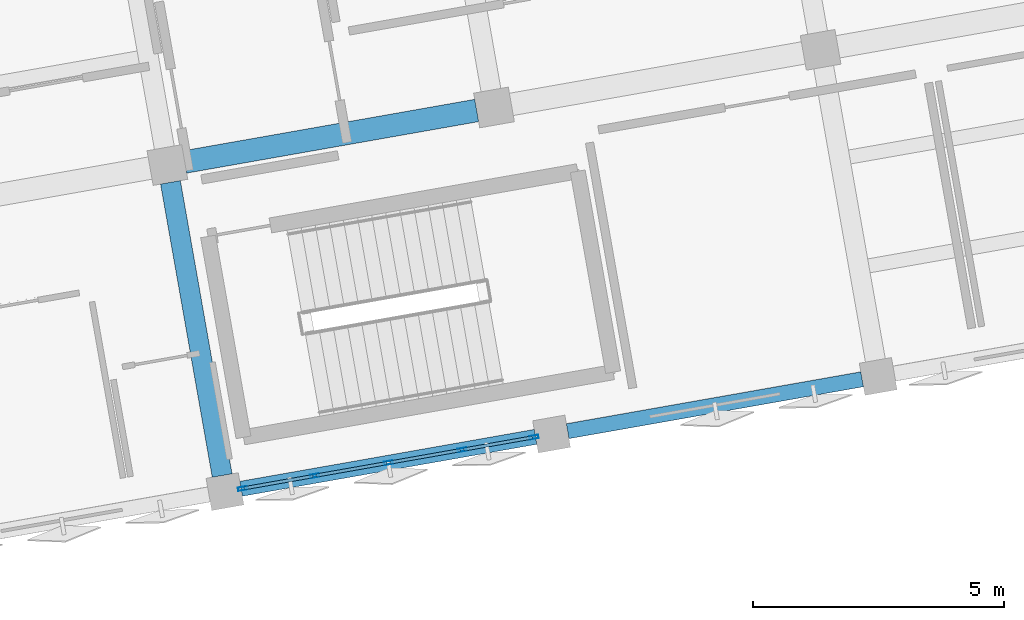
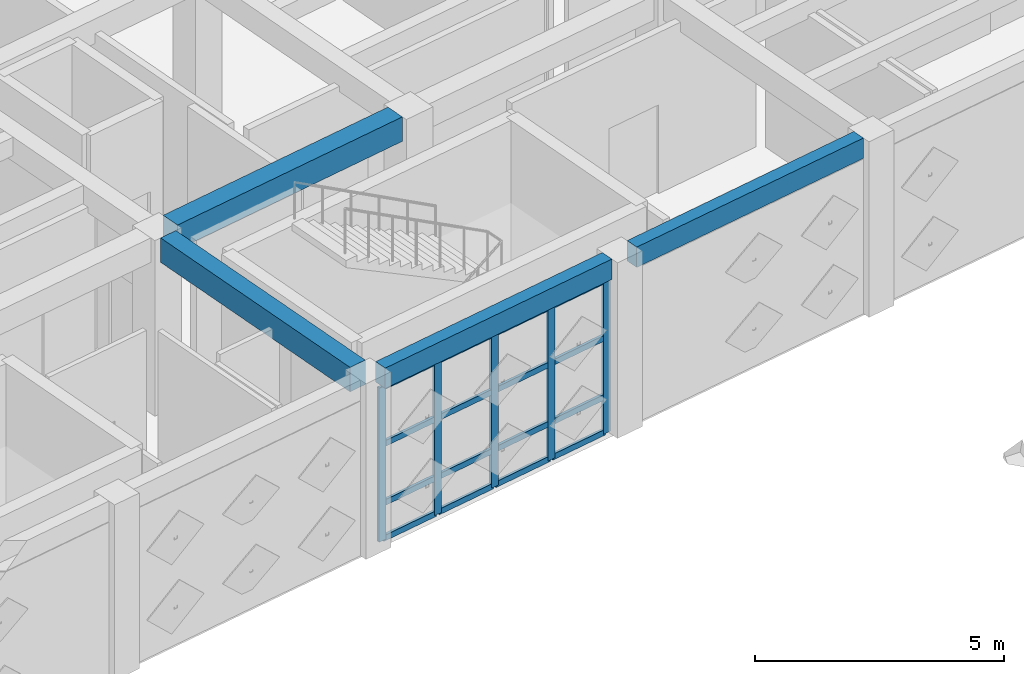
# One storey, part 2 of 39: 21 members, 4 beams, 1 element without a shape of its own.
"""IFC4 building model written with IfcOpenShell, lengths in metres."""

from ifc_helpers import new_model, si_unit, direction, frame, origin, origin_2d, place, context, subcontext, project, spatial, rectangle, hollow_rectangle, extrude, material, layer, layer_set, material_profile, profile_set, type_object, element, aggregate, save


model = new_model("IFC4")

# Units and contexts
model_context = context("Model", 3, precision=1e-05, world=origin(), true_north=direction((0.0, 1.0)))
body_context = subcontext(model_context, "Body", "Model", "MODEL_VIEW")
ifc_project = project(units=[si_unit("LENGTHUNIT", "METRE"), si_unit("AREAUNIT", "SQUARE_METRE"), si_unit("VOLUMEUNIT", "CUBIC_METRE"), si_unit("PLANEANGLEUNIT", "RADIAN"), si_unit("MASSUNIT", "GRAM", prefix="KILO")], contexts=[model_context])

# Site, building, storey
site_placement = place(None, origin())
site = spatial("IfcSite", under=ifc_project, at=site_placement, CompositionType="ELEMENT")
building_placement = place(site_placement, origin())
building = spatial("IfcBuilding", under=site, at=building_placement, Name="Kharisveld Research Institute", CompositionType="ELEMENT")
storey_placement = place(building_placement, frame((0.0, 0.0, 23.10009765625)))
storey = spatial("IfcBuildingStorey", under=building, at=storey_placement, Name="L05", CompositionType="ELEMENT", Elevation=23.10009765625)

# Beams
ifc_material_1 = material(Name="Concrete C40/50", Category="concrete")
ifc_material_profile_1 = material_profile(ifc_material_1, rectangle(XDim=0.39990234375, YDim=0.60009765625, at=origin_2d()))
ifc_profile_set_1 = profile_set([ifc_material_profile_1], Name="Concrete C40/50")
beam_type_1 = type_object("IfcBeamType", Name="BM_RC_400x600", PredefinedType="BEAM", material=ifc_profile_set_1)
beam_1_placement = place(storey_placement, frame((18.14306640625, 37.622314453125, 4.010009765625), z_axis=(-0.173639592071, 0.984809266846, 0.0), x_axis=(-0.984809266846, -0.173639592071, 0.0)))
element("IfcBeam", 1, at=beam_1_placement, inside=storey, type_object=beam_type_1, Name="BM:V1:L05:V2_0", PredefinedType="BEAM", context=body_context, shape_type="SweptSolid", body=[
    extrude(rectangle(XDim=0.39990234375, YDim=0.60009765625, at=origin_2d()), origin(), (0.0, 0.0, 1.0), 5.925048828125),
])
ifc_material_2 = material(Name="Concrete C40/50", Category="concrete")
ifc_material_profile_2 = material_profile(ifc_material_2, rectangle(XDim=0.449951171875, YDim=0.60009765625, at=origin_2d()))
ifc_profile_set_2 = profile_set([ifc_material_profile_2], Name="Concrete C40/50")
beam_type_2 = type_object("IfcBeamType", Name="BM_RC_450x600", PredefinedType="BEAM", material=ifc_profile_set_2)
beam_2_placement = place(storey_placement, frame((17.39794921875, 43.862548828125, 4.010009765625), z_axis=(0.98480479605, 0.173664946598, 0.0), x_axis=(-0.173664946598, 0.98480479605, 0.0)))
element("IfcBeam", 2, at=beam_2_placement, inside=storey, type_object=beam_type_2, Name="BM:V1:L05:U2_1", PredefinedType="BEAM", context=body_context, shape_type="SweptSolid", body=[
    extrude(rectangle(XDim=0.449951171875, YDim=0.60009765625, at=origin_2d()), origin(), (0.0, 0.0, 1.0), 5.900146484375),
])

# Curtain wall, members
ifc_material_3 = material(Name="Thermally Broken Aluminium Curtain Wall", Category="aluminium")
ifc_layer = layer(ifc_material_3, 0.159912109375)
ifc_layer_set = layer_set([ifc_layer], Name="CW_SYS_02")
curtain_wall_type = type_object("IfcCurtainWallType", Name="CW_SYS_02", PredefinedType="NOTDEFINED", material=ifc_layer_set)
curtain_wall_placement = place(storey_placement, origin())
curtain_wall = element("IfcCurtainWall", 3, at=curtain_wall_placement, inside=storey, type_object=curtain_wall_type, Name="CW:V1:L05:S3", PredefinedType="NOTDEFINED")
ifc_material_4 = material(Name="Anodised Aluminium AW-6063-T6", Category="aluminium")
ifc_material_profile_3 = material_profile(ifc_material_4, hollow_rectangle(XDim=0.070068359375, YDim=0.179931640625, WallThickness=0.00439453125, at=origin_2d()))
ifc_profile_set_3 = profile_set([ifc_material_profile_3], Name="Anodised Aluminium AW-6063-T6")
member_type_1 = type_object("IfcMemberType", Name="CW_MUL_180", PredefinedType="MULLION", material=ifc_profile_set_3)
member_1_placement = place(storey_placement, frame((24.349609375, 38.386474609375, 0.0), z_axis=(0.0, 0.0, 1.0), x_axis=(0.173648266375, -0.984807737371, 0.0)))
member_1 = element("IfcMember", 4, at=member_1_placement, type_object=member_type_1, Name="CW-02 mullion 1", PredefinedType="MULLION", context=body_context, shape_type="SweptSolid", body=[
    extrude(hollow_rectangle(XDim=0.070068359375, YDim=0.179931640625, WallThickness=0.00439453125, at=origin_2d()), origin(), (0.0, 0.0, 1.0), 3.77978515625),
])
member_2_placement = place(storey_placement, frame((22.916748046875, 38.134033203125, 0.0), z_axis=(0.0, 0.0, 1.0), x_axis=(0.173648266375, -0.984807737371, 0.0)))
member_2 = element("IfcMember", 5, at=member_2_placement, type_object=member_type_1, Name="CW-02 mullion 2", PredefinedType="MULLION", context=body_context, shape_type="SweptSolid", body=[
    extrude(hollow_rectangle(XDim=0.070068359375, YDim=0.179931640625, WallThickness=0.00439453125, at=origin_2d()), origin(), (0.0, 0.0, 1.0), 3.77978515625),
])
member_3_placement = place(storey_placement, frame((21.44921875, 37.875244140625, 0.0), z_axis=(0.0, 0.0, 1.0), x_axis=(0.173648266375, -0.984807737371, 0.0)))
member_3 = element("IfcMember", 6, at=member_3_placement, type_object=member_type_1, Name="CW-02 mullion 3", PredefinedType="MULLION", context=body_context, shape_type="SweptSolid", body=[
    extrude(hollow_rectangle(XDim=0.070068359375, YDim=0.179931640625, WallThickness=0.00439453125, at=origin_2d()), origin(), (0.0, 0.0, 1.0), 3.77978515625),
])
member_4_placement = place(storey_placement, frame((19.98193359375, 37.616455078125, 0.0), z_axis=(0.0, 0.0, 1.0), x_axis=(0.173648266375, -0.984807737371, 0.0)))
member_4 = element("IfcMember", 7, at=member_4_placement, type_object=member_type_1, Name="CW-02 mullion 4", PredefinedType="MULLION", context=body_context, shape_type="SweptSolid", body=[
    extrude(hollow_rectangle(XDim=0.070068359375, YDim=0.179931640625, WallThickness=0.00439453125, at=origin_2d()), origin(), (0.0, 0.0, 1.0), 3.77978515625),
])
member_5_placement = place(storey_placement, frame((18.549072265625, 37.36376953125, 0.0), z_axis=(0.0, 0.0, 1.0), x_axis=(0.173648266375, -0.984807737371, 0.0)))
member_5 = element("IfcMember", 8, at=member_5_placement, type_object=member_type_1, Name="CW-02 mullion 5", PredefinedType="MULLION", context=body_context, shape_type="SweptSolid", body=[
    extrude(hollow_rectangle(XDim=0.070068359375, YDim=0.179931640625, WallThickness=0.00439453125, at=origin_2d()), origin(), (0.0, 0.0, 1.0), 3.77978515625),
])
ifc_material_5 = material(Name="Anodised Aluminium AW-6063-T6", Category="aluminium")
ifc_material_profile_4 = material_profile(ifc_material_5, hollow_rectangle(XDim=0.06494140625, YDim=0.139892578125, WallThickness=0.00390625, at=origin_2d()))
ifc_profile_set_4 = profile_set([ifc_material_profile_4], Name="Anodised Aluminium AW-6063-T6")
member_type_2 = type_object("IfcMemberType", Name="CW_TRN_140", PredefinedType="USERDEFINED", material=ifc_profile_set_4)
member_6_placement = place(storey_placement, frame((24.315185546875, 38.380615234375, 0.032470703125), z_axis=(-0.984781784306, -0.173795389176, 0.0), x_axis=(0.173795389176, -0.984781784306, 0.0)))
member_6 = element("IfcMember", 9, at=member_6_placement, type_object=member_type_2, Name="CW-02 transom 1.1", ObjectType="TRANSOM", PredefinedType="USERDEFINED", context=body_context, shape_type="SweptSolid", body=[
    extrude(hollow_rectangle(XDim=0.06494140625, YDim=0.139892578125, WallThickness=0.00390625, at=origin_2d()), origin(), (0.0, 0.0, 1.0), 1.385009765625),
])
member_7_placement = place(storey_placement, frame((24.315185546875, 38.380615234375, 0.89990234375), z_axis=(-0.984781784306, -0.173795389176, 0.0), x_axis=(0.173795389176, -0.984781784306, 0.0)))
member_7 = element("IfcMember", 10, at=member_7_placement, type_object=member_type_2, Name="CW-02 transom 1.2", ObjectType="TRANSOM", PredefinedType="USERDEFINED", context=body_context, shape_type="SweptSolid", body=[
    extrude(hollow_rectangle(XDim=0.06494140625, YDim=0.139892578125, WallThickness=0.00390625, at=origin_2d()), origin(), (0.0, 0.0, 1.0), 1.385009765625),
])
member_8_placement = place(storey_placement, frame((24.315185546875, 38.380615234375, 2.349853515625), z_axis=(-0.984781784306, -0.173795389176, 0.0), x_axis=(0.173795389176, -0.984781784306, 0.0)))
member_8 = element("IfcMember", 11, at=member_8_placement, type_object=member_type_2, Name="CW-02 transom 1.3", ObjectType="TRANSOM", PredefinedType="USERDEFINED", context=body_context, shape_type="SweptSolid", body=[
    extrude(hollow_rectangle(XDim=0.06494140625, YDim=0.139892578125, WallThickness=0.00390625, at=origin_2d()), origin(), (0.0, 0.0, 1.0), 1.385009765625),
])
member_9_placement = place(storey_placement, frame((24.315185546875, 38.380615234375, 3.747314453125), z_axis=(-0.984781784306, -0.173795389176, 0.0), x_axis=(0.173795389176, -0.984781784306, 0.0)))
member_9 = element("IfcMember", 12, at=member_9_placement, type_object=member_type_2, Name="CW-02 transom 1.4", ObjectType="TRANSOM", PredefinedType="USERDEFINED", context=body_context, shape_type="SweptSolid", body=[
    extrude(hollow_rectangle(XDim=0.06494140625, YDim=0.139892578125, WallThickness=0.00390625, at=origin_2d()), origin(), (0.0, 0.0, 1.0), 1.385009765625),
])
member_10_placement = place(storey_placement, frame((22.88232421875, 38.1279296875, 0.032470703125), z_axis=(-0.984807780811, -0.17364802001, 0.0), x_axis=(0.17364802001, -0.984807780811, 0.0)))
member_10 = element("IfcMember", 13, at=member_10_placement, type_object=member_type_2, Name="CW-02 transom 2.1", ObjectType="TRANSOM", PredefinedType="USERDEFINED", context=body_context, shape_type="SweptSolid", body=[
    extrude(hollow_rectangle(XDim=0.06494140625, YDim=0.139892578125, WallThickness=0.00390625, at=origin_2d()), origin(), (0.0, 0.0, 1.0), 1.419921875),
])
member_11_placement = place(storey_placement, frame((22.88232421875, 38.1279296875, 0.89990234375), z_axis=(-0.984807780811, -0.17364802001, 0.0), x_axis=(0.17364802001, -0.984807780811, 0.0)))
member_11 = element("IfcMember", 14, at=member_11_placement, type_object=member_type_2, Name="CW-02 transom 2.2", ObjectType="TRANSOM", PredefinedType="USERDEFINED", context=body_context, shape_type="SweptSolid", body=[
    extrude(hollow_rectangle(XDim=0.06494140625, YDim=0.139892578125, WallThickness=0.00390625, at=origin_2d()), origin(), (0.0, 0.0, 1.0), 1.419921875),
])
member_12_placement = place(storey_placement, frame((22.88232421875, 38.1279296875, 2.349853515625), z_axis=(-0.984807780811, -0.17364802001, 0.0), x_axis=(0.17364802001, -0.984807780811, 0.0)))
member_12 = element("IfcMember", 15, at=member_12_placement, type_object=member_type_2, Name="CW-02 transom 2.3", ObjectType="TRANSOM", PredefinedType="USERDEFINED", context=body_context, shape_type="SweptSolid", body=[
    extrude(hollow_rectangle(XDim=0.06494140625, YDim=0.139892578125, WallThickness=0.00390625, at=origin_2d()), origin(), (0.0, 0.0, 1.0), 1.419921875),
])
member_13_placement = place(storey_placement, frame((22.88232421875, 38.1279296875, 3.747314453125), z_axis=(-0.984807780811, -0.17364802001, 0.0), x_axis=(0.17364802001, -0.984807780811, 0.0)))
member_13 = element("IfcMember", 16, at=member_13_placement, type_object=member_type_2, Name="CW-02 transom 2.4", ObjectType="TRANSOM", PredefinedType="USERDEFINED", context=body_context, shape_type="SweptSolid", body=[
    extrude(hollow_rectangle(XDim=0.06494140625, YDim=0.139892578125, WallThickness=0.00390625, at=origin_2d()), origin(), (0.0, 0.0, 1.0), 1.419921875),
])
member_14_placement = place(storey_placement, frame((21.414794921875, 37.869140625, 0.032470703125), z_axis=(-0.984807780811, -0.17364802001, 0.0), x_axis=(0.17364802001, -0.984807780811, 0.0)))
member_14 = element("IfcMember", 17, at=member_14_placement, type_object=member_type_2, Name="CW-02 transom 3.1", ObjectType="TRANSOM", PredefinedType="USERDEFINED", context=body_context, shape_type="SweptSolid", body=[
    extrude(hollow_rectangle(XDim=0.06494140625, YDim=0.139892578125, WallThickness=0.00390625, at=origin_2d()), origin(), (0.0, 0.0, 1.0), 1.419921875),
])
member_15_placement = place(storey_placement, frame((21.414794921875, 37.869140625, 0.89990234375), z_axis=(-0.984807780811, -0.17364802001, 0.0), x_axis=(0.17364802001, -0.984807780811, 0.0)))
member_15 = element("IfcMember", 18, at=member_15_placement, type_object=member_type_2, Name="CW-02 transom 3.2", ObjectType="TRANSOM", PredefinedType="USERDEFINED", context=body_context, shape_type="SweptSolid", body=[
    extrude(hollow_rectangle(XDim=0.06494140625, YDim=0.139892578125, WallThickness=0.00390625, at=origin_2d()), origin(), (0.0, 0.0, 1.0), 1.419921875),
])
member_16_placement = place(storey_placement, frame((21.414794921875, 37.869140625, 2.349853515625), z_axis=(-0.984807780811, -0.17364802001, 0.0), x_axis=(0.17364802001, -0.984807780811, 0.0)))
member_16 = element("IfcMember", 19, at=member_16_placement, type_object=member_type_2, Name="CW-02 transom 3.3", ObjectType="TRANSOM", PredefinedType="USERDEFINED", context=body_context, shape_type="SweptSolid", body=[
    extrude(hollow_rectangle(XDim=0.06494140625, YDim=0.139892578125, WallThickness=0.00390625, at=origin_2d()), origin(), (0.0, 0.0, 1.0), 1.419921875),
])
member_17_placement = place(storey_placement, frame((21.414794921875, 37.869140625, 3.747314453125), z_axis=(-0.984807780811, -0.17364802001, 0.0), x_axis=(0.17364802001, -0.984807780811, 0.0)))
member_17 = element("IfcMember", 20, at=member_17_placement, type_object=member_type_2, Name="CW-02 transom 3.4", ObjectType="TRANSOM", PredefinedType="USERDEFINED", context=body_context, shape_type="SweptSolid", body=[
    extrude(hollow_rectangle(XDim=0.06494140625, YDim=0.139892578125, WallThickness=0.00390625, at=origin_2d()), origin(), (0.0, 0.0, 1.0), 1.419921875),
])
member_18_placement = place(storey_placement, frame((19.947509765625, 37.6103515625, 0.032470703125), z_axis=(-0.984811937912, -0.173624442249, 0.0), x_axis=(0.173624442249, -0.984811937912, 0.0)))
member_18 = element("IfcMember", 21, at=member_18_placement, type_object=member_type_2, Name="CW-02 transom 4.1", ObjectType="TRANSOM", PredefinedType="USERDEFINED", context=body_context, shape_type="SweptSolid", body=[
    extrude(hollow_rectangle(XDim=0.06494140625, YDim=0.139892578125, WallThickness=0.00390625, at=origin_2d()), origin(), (0.0, 0.0, 1.0), 1.385009765625),
])
member_19_placement = place(storey_placement, frame((19.947509765625, 37.6103515625, 0.89990234375), z_axis=(-0.984811937912, -0.173624442249, 0.0), x_axis=(0.173624442249, -0.984811937912, 0.0)))
member_19 = element("IfcMember", 22, at=member_19_placement, type_object=member_type_2, Name="CW-02 transom 4.2", ObjectType="TRANSOM", PredefinedType="USERDEFINED", context=body_context, shape_type="SweptSolid", body=[
    extrude(hollow_rectangle(XDim=0.06494140625, YDim=0.139892578125, WallThickness=0.00390625, at=origin_2d()), origin(), (0.0, 0.0, 1.0), 1.385009765625),
])
member_20_placement = place(storey_placement, frame((19.947509765625, 37.6103515625, 2.349853515625), z_axis=(-0.984811937912, -0.173624442249, 0.0), x_axis=(0.173624442249, -0.984811937912, 0.0)))
member_20 = element("IfcMember", 23, at=member_20_placement, type_object=member_type_2, Name="CW-02 transom 4.3", ObjectType="TRANSOM", PredefinedType="USERDEFINED", context=body_context, shape_type="SweptSolid", body=[
    extrude(hollow_rectangle(XDim=0.06494140625, YDim=0.139892578125, WallThickness=0.00390625, at=origin_2d()), origin(), (0.0, 0.0, 1.0), 1.385009765625),
])
member_21_placement = place(storey_placement, frame((19.947509765625, 37.6103515625, 3.747314453125), z_axis=(-0.984811937912, -0.173624442249, 0.0), x_axis=(0.173624442249, -0.984811937912, 0.0)))
member_21 = element("IfcMember", 24, at=member_21_placement, type_object=member_type_2, Name="CW-02 transom 4.4", ObjectType="TRANSOM", PredefinedType="USERDEFINED", context=body_context, shape_type="SweptSolid", body=[
    extrude(hollow_rectangle(XDim=0.06494140625, YDim=0.139892578125, WallThickness=0.00390625, at=origin_2d()), origin(), (0.0, 0.0, 1.0), 1.385009765625),
])
aggregate(curtain_wall, [member_1, member_2, member_3, member_4, member_5, member_6, member_7, member_8, member_9, member_10, member_11, member_12, member_13, member_14, member_15, member_16, member_17, member_18, member_19, member_20, member_21])

# Beams
ifc_material_6 = material(Name="Concrete C40/50", Category="concrete")
ifc_material_profile_5 = material_profile(ifc_material_6, rectangle(XDim=0.300048828125, YDim=0.5, at=origin_2d()))
ifc_profile_set_5 = profile_set([ifc_material_profile_5], Name="Concrete C40/50")
beam_type_3 = type_object("IfcBeamType", Name="SP_RC_300x500", PredefinedType="SPANDREL", material=ifc_profile_set_5)
for number, where, z_axis, x_axis, name in (
    (25, (18.51953125, 37.358642578125, 4.059814453125), (0.984807920462, 0.173647228007, 0.0), (-0.173647228007, 0.984807920462, 0.0), "BM:V1:L05:U2_0"),
    (26, (25.019287109375, 38.504638671875, 4.059814453125), (0.984807920462, 0.173647228007, 0.0), (-0.173647228007, 0.984807920462, 0.0), "BM:V1:L05:U3_0"),
):
    element("IfcBeam", number, at=place(storey_placement, frame(where, z_axis=z_axis, x_axis=x_axis)), inside=storey, type_object=beam_type_3, Name=name, PredefinedType="SPANDREL", context=body_context, shape_type="SweptSolid", body=[
        extrude(rectangle(XDim=0.300048828125, YDim=0.5, at=origin_2d()), origin(), (0.0, 0.0, 1.0), 5.949951171875),
    ])

save(model, "model.ifc")
